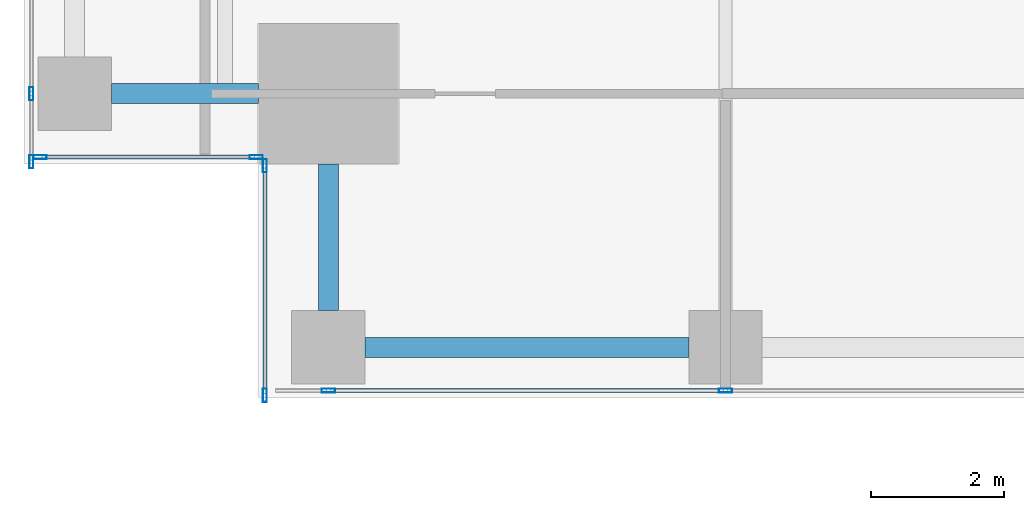
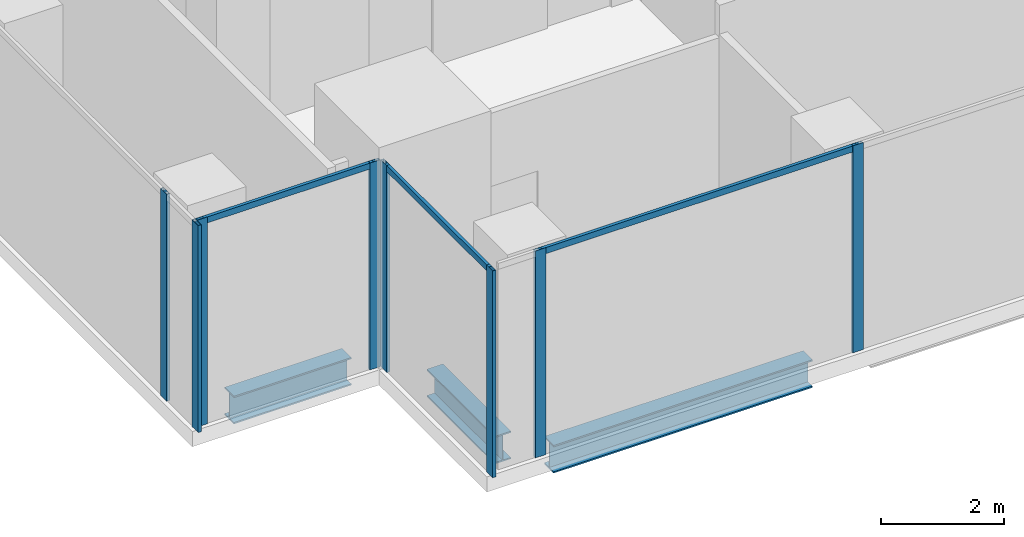
# One storey, part 2 of 34: 11 members, 3 beams, 4 elements without a shape of their own.
"""IFC4 building model written with IfcOpenShell, lengths in metres."""

from ifc_helpers import new_model, si_unit, direction, frame, origin, origin_2d, place, context, subcontext, project, spatial, hollow_rectangle, i_section, extrude, source, transform, mapped, material, material_profile, profile_set, type_object, element, aggregate, save


model = new_model("IFC4")

# Units and contexts
model_context = context("Model", 3, precision=1e-05, world=origin(), true_north=direction((0.0, 1.0)))
body_context = subcontext(model_context, "Body", "Model", "MODEL_VIEW")
ifc_project = project(units=[si_unit("LENGTHUNIT", "METRE"), si_unit("AREAUNIT", "SQUARE_METRE"), si_unit("VOLUMEUNIT", "CUBIC_METRE"), si_unit("PLANEANGLEUNIT", "RADIAN"), si_unit("MASSUNIT", "GRAM", prefix="KILO")], contexts=[model_context])

# Site, building, storey
site_placement = place(None, origin())
site = spatial("IfcSite", under=ifc_project, at=site_placement, CompositionType="ELEMENT")
building_placement = place(site_placement, origin())
building = spatial("IfcBuilding", under=site, at=building_placement, Name="Khomas Fold Tower", CompositionType="ELEMENT")
storey_placement = place(building_placement, frame((0.0, 0.0, 145.5)))
storey = spatial("IfcBuildingStorey", under=building, at=storey_placement, Name="L31", CompositionType="ELEMENT", Elevation=145.5)

# Beams
ifc_material_1 = material(Name="Steel S355", Category="steel")
ifc_material_profile_1 = material_profile(ifc_material_1, i_section(OverallWidth=0.300048828125, OverallDepth=0.550048828125, WebThickness=0.014892578125, FlangeThickness=0.029052734375, at=origin_2d()), Name="HE 550 B")
ifc_profile_set_1 = profile_set([ifc_material_profile_1], Name="Steel S355")
beam_type = type_object("IfcBeamType", Name="HE 550 B spandrel SB2", PredefinedType="SPANDREL", material=ifc_profile_set_1)
shared_shape_1 = source(origin(), body_context, "Body", "SweptSolid", [
    extrude(i_section(OverallWidth=0.300048828125, OverallDepth=0.550048828125, WebThickness=0.014892578125, FlangeThickness=0.029052734375, at=origin_2d()), origin(), (0.0, 0.0, 1.0), 4.849853515625),
])
beam_placement = place(storey_placement, frame((6.60009765625, 2.25, -0.574951171875), z_axis=(1.0, 0.0, 0.0), x_axis=(0.0, 1.0, 0.0)))
element("IfcBeam", 1, at=beam_placement, inside=storey, type_object=beam_type, Name="SB2", PredefinedType="SPANDREL", context=body_context, shape_type="MappedRepresentation", body=[
    mapped(shared_shape_1, transform((0.0, 0.0, 0.0))),
])
shared_shape_2 = source(origin(), body_context, "Body", "SweptSolid", [
    extrude(i_section(OverallWidth=0.300048828125, OverallDepth=0.550048828125, WebThickness=0.014892578125, FlangeThickness=0.029052734375, at=origin_2d()), origin(), (0.0, 0.0, 1.0), 2.199951171875),
])
for number, where, z_axis, x_axis, name in (
    (2, (2.800048828125, 6.050048828125, -0.574951171875), (1.0, 0.0, 0.0), (0.0, 1.0, 0.0), "SB2"),
    (3, (6.050048828125, 2.800048828125, -0.574951171875), (0.0, 1.0, 0.0), (-1.0, 0.0, 0.0), "SB2"),
):
    element("IfcBeam", number, at=place(storey_placement, frame(where, z_axis=z_axis, x_axis=x_axis)), inside=storey, type_object=beam_type, Name=name, PredefinedType="SPANDREL", context=body_context, shape_type="MappedRepresentation", body=[
        mapped(shared_shape_2, transform((0.0, 0.0, 0.0))),
    ])

# Curtain wall, members
ifc_material_2 = material(Name="Aluminium framed double glazing", Category="aluminium")
curtain_wall_type = type_object("IfcCurtainWallType", Name="SK-Unitised clear-glass wall, growing floors CW1", PredefinedType="NOTDEFINED", material=ifc_material_2)
curtain_wall_1_placement = place(storey_placement, origin())
curtain_wall_1 = element("IfcCurtainWall", 4, at=curtain_wall_1_placement, inside=storey, type_object=curtain_wall_type, Name="CW1 run L31 00-0", PredefinedType="NOTDEFINED")
ifc_material_3 = material(Name="Aluminium", Category="aluminium")
ifc_material_profile_2 = material_profile(ifc_material_3, hollow_rectangle(XDim=0.06005859375, YDim=0.199951171875, WallThickness=0.00390625, at=origin_2d()), Name="SK-Unitised clear-glass wall, growing floors mullion CW1-M")
ifc_profile_set_2 = profile_set([ifc_material_profile_2], Name="Aluminium")
member_type_1 = type_object("IfcMemberType", Name="SK-Unitised clear-glass wall, growing floors mullion CW1-M", PredefinedType="MULLION", material=ifc_profile_set_2)
shared_shape_3 = source(origin(), body_context, "Body", "SweptSolid", [
    extrude(hollow_rectangle(XDim=0.06005859375, YDim=0.199951171875, WallThickness=0.00390625, at=origin_2d()), origin(), (0.0, 0.0, 1.0), 4.10009765625),
])
member_1_placement = place(storey_placement, frame((6.050048828125, 1.60009765625, 0.0), z_axis=(0.0, 0.0, 1.0), x_axis=(0.0, 1.0, 0.0)))
member_1 = element("IfcMember", 5, at=member_1_placement, type_object=member_type_1, Name="CW1 mullion 2", PredefinedType="MULLION", context=body_context, shape_type="MappedRepresentation", body=[
    mapped(shared_shape_3, transform((0.0, 0.0, 0.0))),
])
member_2_placement = place(storey_placement, frame((12.0, 1.60009765625, 0.0), z_axis=(0.0, 0.0, 1.0), x_axis=(0.0, 1.0, 0.0)))
member_2 = element("IfcMember", 6, at=member_2_placement, type_object=member_type_1, Name="CW1 mullion 3", PredefinedType="MULLION", context=body_context, shape_type="MappedRepresentation", body=[
    mapped(shared_shape_3, transform((0.0, 0.0, 0.0))),
])

curtain_wall_2_placement = place(storey_placement, origin())
curtain_wall_2 = element("IfcCurtainWall", 7, at=curtain_wall_2_placement, inside=storey, type_object=curtain_wall_type, Name="CW1 run L31 09-0", PredefinedType="NOTDEFINED")
member_3_placement = place(storey_placement, frame((1.60009765625, 6.050048828125, 0.0), z_axis=(0.0, 0.0, 1.0), x_axis=(1.0, 0.0, 0.0)))
member_3 = element("IfcMember", 8, at=member_3_placement, type_object=member_type_1, Name="CW1 mullion 8", PredefinedType="MULLION", context=body_context, shape_type="MappedRepresentation", body=[
    mapped(shared_shape_3, transform((0.0, 0.0, 0.0))),
])
member_4_placement = place(storey_placement, frame((1.60009765625, 5.030029296875, 0.0), z_axis=(0.0, 0.0, 1.0), x_axis=(1.0, 0.0, 0.0)))
member_4 = element("IfcMember", 9, at=member_4_placement, type_object=member_type_1, Name="CW1 mullion 9", PredefinedType="MULLION", context=body_context, shape_type="MappedRepresentation", body=[
    mapped(shared_shape_3, transform((0.0, 0.0, 0.0))),
])
aggregate(curtain_wall_2, [member_3, member_4])

curtain_wall_3_placement = place(storey_placement, origin())
curtain_wall_3 = element("IfcCurtainWall", 10, at=curtain_wall_3_placement, inside=storey, type_object=curtain_wall_type, Name="CW1 corner return L31 10", PredefinedType="NOTDEFINED")
member_5_placement = place(storey_placement, frame((1.72998046875, 5.10009765625, 0.0), z_axis=(0.0, 0.0, 1.0), x_axis=(0.0, 1.0, 0.0)))
member_5 = element("IfcMember", 11, at=member_5_placement, type_object=member_type_1, Name="CW1 mullion 1", PredefinedType="MULLION", context=body_context, shape_type="MappedRepresentation", body=[
    mapped(shared_shape_3, transform((0.0, 0.0, 0.0))),
])
member_6_placement = place(storey_placement, frame((4.969970703125, 5.10009765625, 0.0), z_axis=(0.0, 0.0, 1.0), x_axis=(0.0, 1.0, 0.0)))
member_6 = element("IfcMember", 12, at=member_6_placement, type_object=member_type_1, Name="CW1 mullion 2", PredefinedType="MULLION", context=body_context, shape_type="MappedRepresentation", body=[
    mapped(shared_shape_3, transform((0.0, 0.0, 0.0))),
])

curtain_wall_4_placement = place(storey_placement, origin())
curtain_wall_4 = element("IfcCurtainWall", 13, at=curtain_wall_4_placement, inside=storey, type_object=curtain_wall_type, Name="CW1 corner return L31 11", PredefinedType="NOTDEFINED")
member_7_placement = place(storey_placement, frame((5.10009765625, 4.969970703125, 0.0), z_axis=(0.0, 0.0, 1.0), x_axis=(1.0, 0.0, 0.0)))
member_7 = element("IfcMember", 14, at=member_7_placement, type_object=member_type_1, Name="CW1 mullion 1", PredefinedType="MULLION", context=body_context, shape_type="MappedRepresentation", body=[
    mapped(shared_shape_3, transform((0.0, 0.0, 0.0))),
])
member_8_placement = place(storey_placement, frame((5.10009765625, 1.530029296875, 0.0), z_axis=(0.0, 0.0, 1.0), x_axis=(1.0, 0.0, 0.0)))
member_8 = element("IfcMember", 15, at=member_8_placement, type_object=member_type_1, Name="CW1 mullion 2", PredefinedType="MULLION", context=body_context, shape_type="MappedRepresentation", body=[
    mapped(shared_shape_3, transform((0.0, 0.0, 0.0))),
])

# Member
ifc_material_4 = material(Name="Aluminium", Category="aluminium")
ifc_material_profile_3 = material_profile(ifc_material_4, hollow_rectangle(XDim=0.06005859375, YDim=0.1201171875, WallThickness=0.00390625, at=origin_2d()), Name="SK-Unitised clear-glass wall, growing floors transom CW1-T")
ifc_profile_set_3 = profile_set([ifc_material_profile_3], Name="Aluminium")
member_type_2 = type_object("IfcMemberType", Name="SK-Unitised clear-glass wall, growing floors transom CW1-T", PredefinedType="USERDEFINED", material=ifc_profile_set_3)
shared_shape_4 = source(origin(), body_context, "Body", "SweptSolid", [
    extrude(hollow_rectangle(XDim=0.06005859375, YDim=0.1201171875, WallThickness=0.00390625, at=origin_2d()), origin(), (0.0, 0.0, 1.0), 5.889892578125),
])
member_9_placement = place(storey_placement, frame((6.080078125, 1.60009765625, 4.0400390625), z_axis=(1.0, 0.0, 0.0), x_axis=(0.0, 1.0, 0.0)))
member_9 = element("IfcMember", 16, at=member_9_placement, type_object=member_type_2, Name="CW1 transom 2", ObjectType="TRANSOM", PredefinedType="USERDEFINED", context=body_context, shape_type="MappedRepresentation", body=[
    mapped(shared_shape_4, transform((0.0, 0.0, 0.0))),
])

aggregate(curtain_wall_1, [member_1, member_2, member_9])

shared_shape_5 = source(origin(), body_context, "Body", "SweptSolid", [
    extrude(hollow_rectangle(XDim=0.06005859375, YDim=0.1201171875, WallThickness=0.00390625, at=origin_2d()), origin(), (0.0, 0.0, 1.0), 3.179931640625),
])
member_10_placement = place(storey_placement, frame((1.760009765625, 5.10009765625, 4.0400390625), z_axis=(1.0, 0.0, 0.0), x_axis=(0.0, 1.0, 0.0)))
member_10 = element("IfcMember", 17, at=member_10_placement, type_object=member_type_2, Name="CW1 transom 1", ObjectType="TRANSOM", PredefinedType="USERDEFINED", context=body_context, shape_type="MappedRepresentation", body=[
    mapped(shared_shape_5, transform((0.0, 0.0, 0.0))),
])

aggregate(curtain_wall_3, [member_5, member_6, member_10])

shared_shape_6 = source(origin(), body_context, "Body", "SweptSolid", [
    extrude(hollow_rectangle(XDim=0.06005859375, YDim=0.1201171875, WallThickness=0.00390625, at=origin_2d()), origin(), (0.0, 0.0, 1.0), 3.3798828125),
])
member_11_placement = place(storey_placement, frame((5.10009765625, 4.93994140625, 4.0400390625), z_axis=(0.0, -1.0, 0.0), x_axis=(1.0, 0.0, 0.0)))
member_11 = element("IfcMember", 18, at=member_11_placement, type_object=member_type_2, Name="CW1 transom 1", ObjectType="TRANSOM", PredefinedType="USERDEFINED", context=body_context, shape_type="MappedRepresentation", body=[
    mapped(shared_shape_6, transform((0.0, 0.0, 0.0))),
])

aggregate(curtain_wall_4, [member_7, member_8, member_11])

save(model, "model.ifc")
